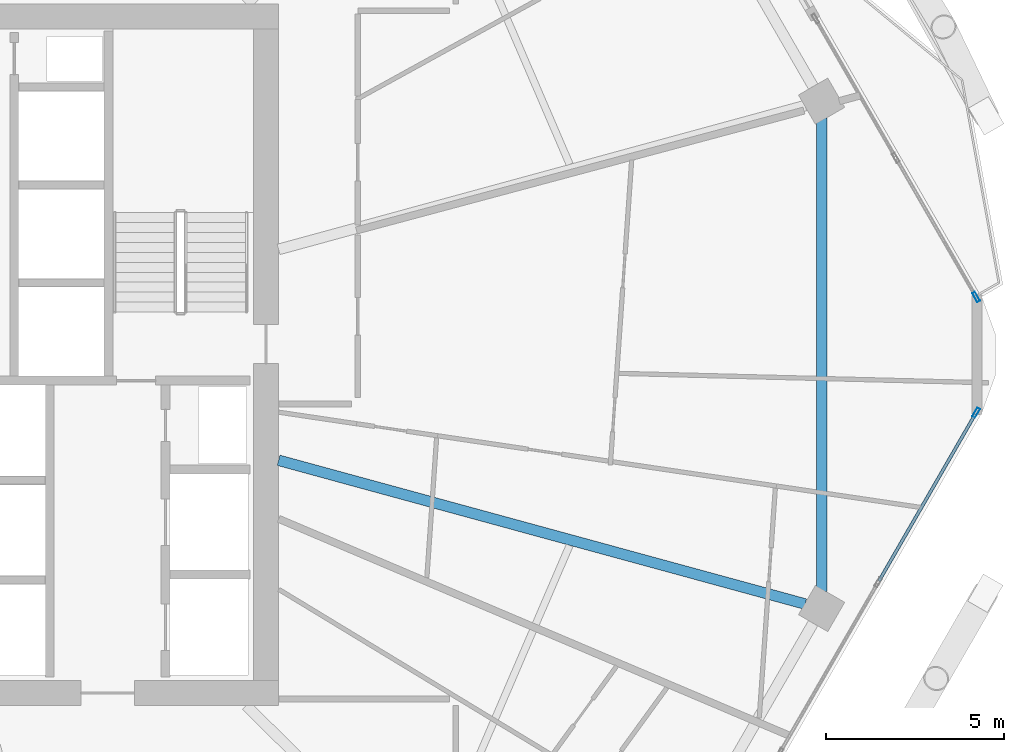
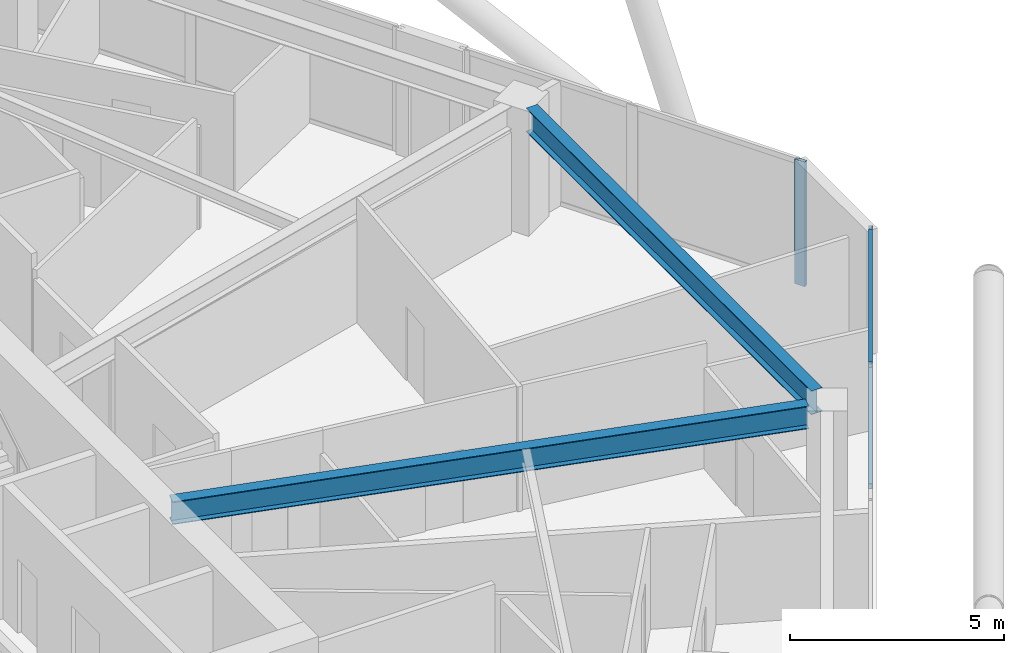
# One storey, part 9 of 29: 4 members, 2 beams, 2 elements without a shape of their own.
"""IFC4 building model written with IfcOpenShell, lengths in metres."""

from ifc_helpers import new_model, si_unit, direction, frame, origin, origin_2d, place, context, subcontext, project, spatial, hollow_rectangle, i_section, extrude, material, material_profile, profile_set, type_object, element, aggregate, save


model = new_model("IFC4")

# Units and contexts
model_context = context("Model", 3, precision=1e-05, world=origin(), true_north=direction((0.0, 1.0)))
body_context = subcontext(model_context, "Body", "Model", "MODEL_VIEW")
ifc_project = project(units=[si_unit("LENGTHUNIT", "METRE"), si_unit("AREAUNIT", "SQUARE_METRE"), si_unit("VOLUMEUNIT", "CUBIC_METRE"), si_unit("PLANEANGLEUNIT", "RADIAN"), si_unit("MASSUNIT", "GRAM", prefix="KILO")], contexts=[model_context])

# Site, building, storey
site_placement = place(None, origin())
site = spatial("IfcSite", under=ifc_project, at=site_placement, CompositionType="ELEMENT")
building_placement = place(site_placement, origin())
building = spatial("IfcBuilding", under=site, at=building_placement, Name="Zuhravey Tower", CompositionType="ELEMENT")
storey_placement = place(building_placement, frame((0.0, 0.0, 192.199951171875)))
storey = spatial("IfcBuildingStorey", under=building, at=storey_placement, Name="L48", CompositionType="ELEMENT", Elevation=192.199951171875)

# Curtain wall, member
ifc_material_1 = material(Name="Thermally broken anodised aluminium", Category="aluminium")
curtain_wall_type = type_object("IfcCurtainWallType", Name="Zone 1-2 Residential Curtain Wall CW3", PredefinedType="NOTDEFINED", material=ifc_material_1)
curtain_wall_1_placement = place(storey_placement, origin())
curtain_wall_1 = element("IfcCurtainWall", 1, at=curtain_wall_1_placement, inside=storey, type_object=curtain_wall_type, Name="L48 CW3 CW-L48-F6-1", PredefinedType="NOTDEFINED")
ifc_material_2 = material(Name="Anodised aluminium", Category="aluminium")
ifc_material_profile_1 = material_profile(ifc_material_2, hollow_rectangle(XDim=0.090087890625, YDim=0.284912109375, WallThickness=0.0048828125, at=origin_2d()), Name="ALU-RHS-90x285x5")
ifc_profile_set_1 = profile_set([ifc_material_profile_1], Name="Anodised aluminium")
member_type_1 = type_object("IfcMemberType", Name="Curtain-Wall Mullion 90x180", PredefinedType="MULLION", material=ifc_profile_set_1)
member_1_placement = place(storey_placement, frame((66.44921875, 30.37353515625, 0.0), z_axis=(0.0, 0.0, 1.0), x_axis=(0.866025138215, -0.500000459979, 0.0)))
member_1 = element("IfcMember", 2, at=member_1_placement, type_object=member_type_1, Name="CW3 mullion 1", PredefinedType="MULLION", context=body_context, shape_type="SweptSolid", body=[
    extrude(hollow_rectangle(XDim=0.090087890625, YDim=0.284912109375, WallThickness=0.0048828125, at=origin_2d()), origin(), (0.0, 0.0, 1.0), 3.550048828125),
])

curtain_wall_2_placement = place(storey_placement, origin())
curtain_wall_2 = element("IfcCurtainWall", 3, at=curtain_wall_2_placement, inside=storey, type_object=curtain_wall_type, Name="L48 CW3 CW-L48-F1-2", PredefinedType="NOTDEFINED")
member_2_placement = place(storey_placement, frame((66.44921875, 33.62646484375, 0.0), z_axis=(0.0, 0.0, 1.0), x_axis=(0.866027948664, 0.499995592113, 0.0)))
member_2 = element("IfcMember", 4, at=member_2_placement, type_object=member_type_1, Name="CW3 mullion 3", PredefinedType="MULLION", context=body_context, shape_type="SweptSolid", body=[
    extrude(hollow_rectangle(XDim=0.090087890625, YDim=0.284912109375, WallThickness=0.0048828125, at=origin_2d()), origin(), (0.0, 0.0, 1.0), 3.550048828125),
])
aggregate(curtain_wall_2, [member_2])

# Member
ifc_material_profile_2 = material_profile(ifc_material_2, hollow_rectangle(XDim=0.090087890625, YDim=0.14990234375, WallThickness=0.0048828125, at=origin_2d()), Name="ALU-RHS-90x150x5")
ifc_profile_set_2 = profile_set([ifc_material_profile_2], Name="Anodised aluminium")
member_type_2 = type_object("IfcMemberType", Name="Curtain-Wall Transom 90x150", PredefinedType="USERDEFINED", material=ifc_profile_set_2)
member_3_placement = place(storey_placement, frame((66.4267578125, 30.33447265625, 0.045166015625), z_axis=(-0.499993332629, -0.866029253159, 0.0), x_axis=(0.866029253159, -0.499993332629, 0.0)))
member_3 = element("IfcMember", 5, at=member_3_placement, type_object=member_type_2, Name="CW3 transom 1.1", ObjectType="TRANSOM", PredefinedType="USERDEFINED", context=body_context, shape_type="SweptSolid", body=[
    extrude(hollow_rectangle(XDim=0.090087890625, YDim=0.14990234375, WallThickness=0.0048828125, at=origin_2d()), origin(), (0.0, 0.0, 1.0), 5.4091796875),
])

member_4_placement = place(storey_placement, frame((66.4267578125, 30.33447265625, 3.505126953125), z_axis=(-0.499993332629, -0.866029253159, 0.0), x_axis=(0.866029253159, -0.499993332629, 0.0)))
member_4 = element("IfcMember", 6, at=member_4_placement, type_object=member_type_2, Name="CW3 transom 1.2", ObjectType="TRANSOM", PredefinedType="USERDEFINED", context=body_context, shape_type="SweptSolid", body=[
    extrude(hollow_rectangle(XDim=0.090087890625, YDim=0.14990234375, WallThickness=0.0048828125, at=origin_2d()), origin(), (0.0, 0.0, 1.0), 5.4091796875),
])

aggregate(curtain_wall_1, [member_1, member_3, member_4])

# Beams
ifc_material_3 = material(Name="Steel SM355", Category="steel")
ifc_material_profile_3 = material_profile(ifc_material_3, i_section(OverallWidth=0.300048828125, OverallDepth=0.679931640625, WebThickness=0.012939453125, FlangeThickness=0.02197265625, at=origin_2d()), Name="H-680x300x13x22")
ifc_profile_set_3 = profile_set([ifc_material_profile_3], Name="Steel SM355")
beam_type_1 = type_object("IfcBeamType", Name="Perimeter Ring Beam H680x300", PredefinedType="BEAM", material=ifc_profile_set_3)
beam_1_placement = place(storey_placement, frame((62.107666015625, 25.3515625, 3.2099609375), z_axis=(0.0, 1.0, 0.0), x_axis=(-1.0, 0.0, 0.0)))
element("IfcBeam", 7, at=beam_1_placement, inside=storey, type_object=beam_type_1, Name="L48 PB2 BM-L48-PB-12", PredefinedType="BEAM", context=body_context, shape_type="SweptSolid", body=[
    extrude(i_section(OverallWidth=0.300048828125, OverallDepth=0.679931640625, WebThickness=0.012939453125, FlangeThickness=0.02197265625, at=origin_2d()), origin(), (0.0, 0.0, 1.0), 13.296875),
])
ifc_material_profile_4 = material_profile(ifc_material_3, i_section(OverallWidth=0.300048828125, OverallDepth=0.64990234375, WebThickness=0.012939453125, FlangeThickness=0.02197265625, at=origin_2d()), Name="H-650x300x13x22")
ifc_profile_set_4 = profile_set([ifc_material_profile_4], Name="Steel SM355")
beam_type_2 = type_object("IfcBeamType", Name="Radial Primary Girder H650x300", PredefinedType="BEAM", material=ifc_profile_set_4)
beam_2_placement = place(storey_placement, frame((46.85302734375, 29.03759765625, 3.22509765625), z_axis=(0.964701703464, -0.263345065139, 0.0), x_axis=(0.263345065139, 0.964701703464, 0.0)))
element("IfcBeam", 8, at=beam_2_placement, inside=storey, type_object=beam_type_2, Name="L48 RG2 BM-L48-RAD-12", PredefinedType="BEAM", context=body_context, shape_type="SweptSolid", body=[
    extrude(i_section(OverallWidth=0.300048828125, OverallDepth=0.64990234375, WebThickness=0.012939453125, FlangeThickness=0.02197265625, at=origin_2d()), origin(), (0.0, 0.0, 1.0), 15.334716796875),
])

save(model, "model.ifc")
